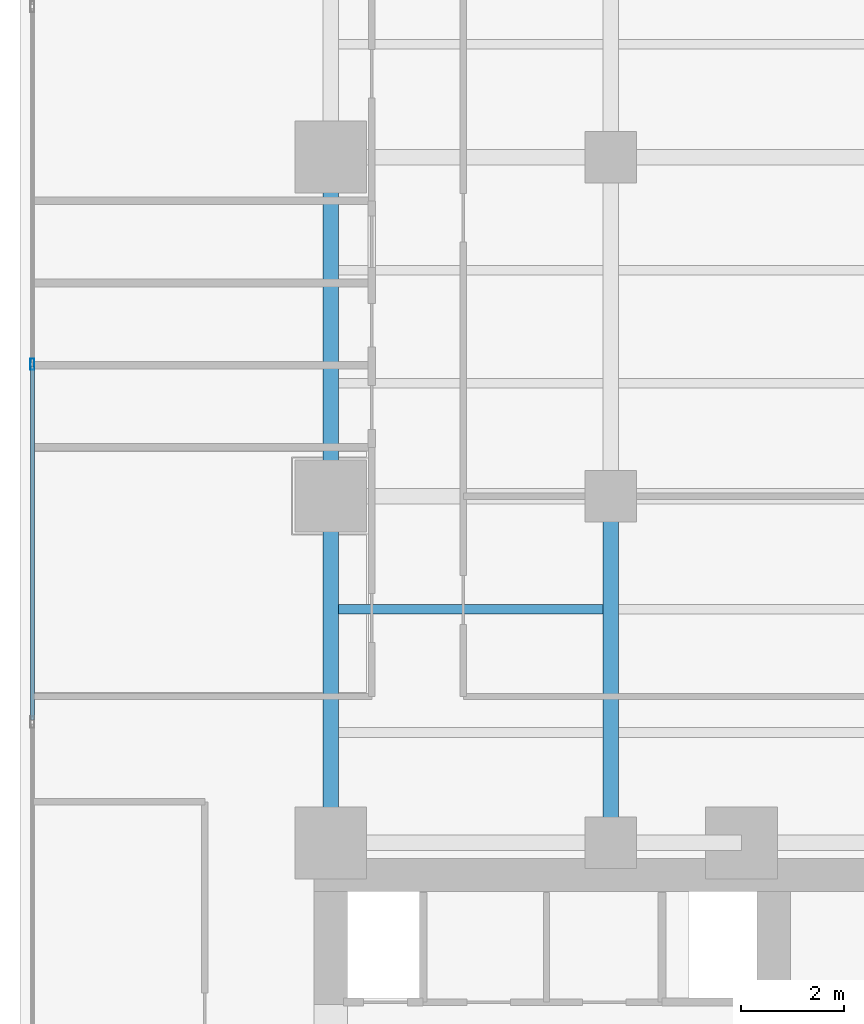
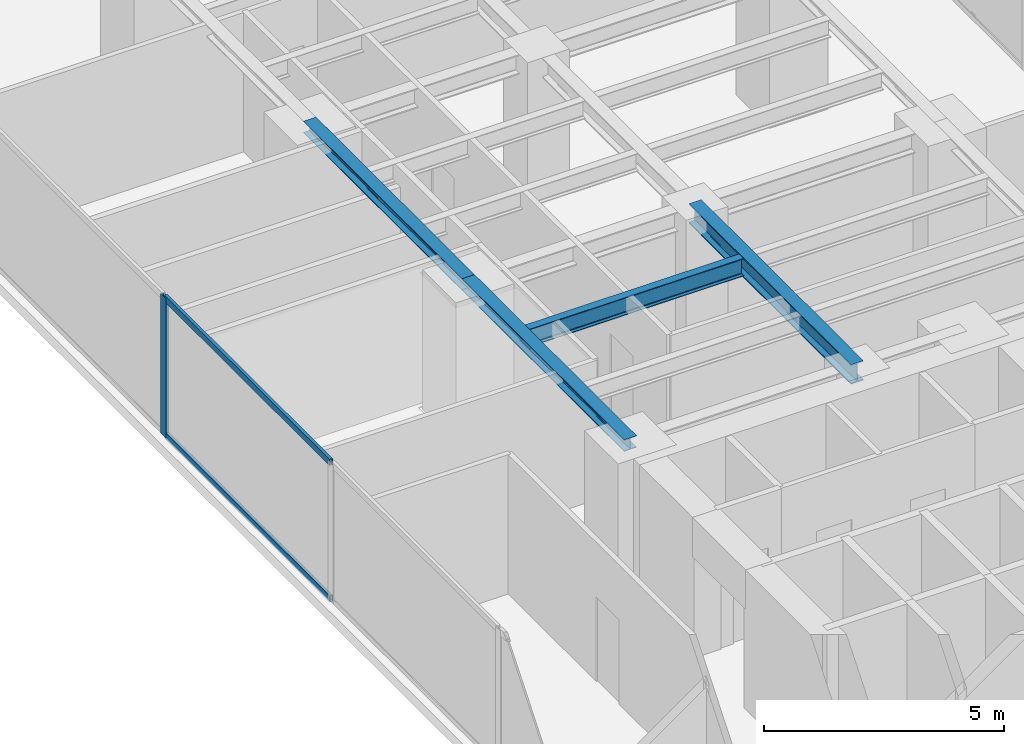
# One storey, part 7 of 28: 4 beams, 3 members, 1 element without a shape of its own.
"""IFC4 building model written with IfcOpenShell, lengths in metres."""

from ifc_helpers import new_model, si_unit, direction, frame, origin, origin_with_axes, origin_2d, place, context, subcontext, project, spatial, hollow_rectangle, i_section, extrude, source, transform, mapped, material, layer, layer_set, material_profile, profile_set, type_object, element, aggregate, save


model = new_model("IFC4")

# Units and contexts
model_context = context("Model", 3, precision=1e-05, world=origin(), true_north=direction((0.0, 1.0)))
body_context = subcontext(model_context, "Body", "Model", "MODEL_VIEW")
ifc_project = project(units=[si_unit("LENGTHUNIT", "METRE"), si_unit("AREAUNIT", "SQUARE_METRE"), si_unit("VOLUMEUNIT", "CUBIC_METRE"), si_unit("PLANEANGLEUNIT", "RADIAN"), si_unit("MASSUNIT", "GRAM", prefix="KILO")], contexts=[model_context])

# Site, building, storey
site_placement = place(None, origin())
site = spatial("IfcSite", under=ifc_project, at=site_placement, CompositionType="ELEMENT")
building_placement = place(site_placement, origin())
building = spatial("IfcBuilding", under=site, at=building_placement, Name="Kolvaren Waterfront Exchange", CompositionType="ELEMENT")
storey_placement = place(building_placement, frame((0.0, 0.0, 103.10009765625)))
storey = spatial("IfcBuildingStorey", under=building, at=storey_placement, Name="L26", CompositionType="ELEMENT", Elevation=103.10009765625)

# Beams
ifc_material_1 = material(Name="Steel S355", Category="steel")
ifc_material_profile_1 = material_profile(ifc_material_1, i_section(OverallWidth=0.300048828125, OverallDepth=0.300048828125, WebThickness=0.010986328125, FlangeThickness=0.01904296875, FilletRadius=0.027099609375, at=origin_2d()), Name="HEB300")
ifc_profile_set_1 = profile_set([ifc_material_profile_1], Name="Steel S355")
beam_type_1 = type_object("IfcBeamType", Name="STR-BM-HEB300", PredefinedType="SPANDREL", material=ifc_profile_set_1)
beam_1_placement = place(storey_placement, frame((7.449951171875, 24.449951171875, 3.389892578125), z_axis=(0.0, 1.0, 0.0), x_axis=(-1.0, 0.0, 0.0)))
element("IfcBeam", 1, at=beam_1_placement, inside=storey, type_object=beam_type_1, Name="L26 north-arm edge beam 1", PredefinedType="SPANDREL", context=body_context, shape_type="SweptSolid", body=[
    extrude(i_section(OverallWidth=0.300048828125, OverallDepth=0.300048828125, WebThickness=0.010986328125, FlangeThickness=0.01904296875, FilletRadius=0.027099609375, at=origin_2d()), origin(), (0.0, 0.0, 1.0), 6.75),
])
beam_2_placement = place(storey_placement, frame((7.449951171875, 31.199951171875, 3.389892578125), z_axis=(0.0, 1.0, 0.0), x_axis=(-1.0, 0.0, 0.0)))
element("IfcBeam", 2, at=beam_2_placement, inside=storey, type_object=beam_type_1, Name="L26 north-arm edge beam 2", PredefinedType="SPANDREL", context=body_context, shape_type="SweptSolid", body=[
    extrude(i_section(OverallWidth=0.300048828125, OverallDepth=0.300048828125, WebThickness=0.010986328125, FlangeThickness=0.01904296875, FilletRadius=0.027099609375, at=origin_2d()), origin(), (0.0, 0.0, 1.0), 6.60009765625),
])
ifc_material_profile_2 = material_profile(ifc_material_1, i_section(OverallWidth=0.300048828125, OverallDepth=0.5, WebThickness=0.014404296875, FlangeThickness=0.028076171875, FilletRadius=0.027099609375, at=origin_2d()), Name="HEB500")
ifc_profile_set_2 = profile_set([ifc_material_profile_2], Name="Steel S355")
beam_type_2 = type_object("IfcBeamType", Name="STR-BM-HEB500", PredefinedType="BEAM", material=ifc_profile_set_2)
beam_3_placement = place(storey_placement, frame((12.89990234375, 24.449951171875, 3.289794921875), z_axis=(0.0, 1.0, 0.0), x_axis=(-1.0, 0.0, 0.0)))
element("IfcBeam", 3, at=beam_3_placement, inside=storey, type_object=beam_type_2, Name="L26 north-arm edge beam 1", PredefinedType="BEAM", context=body_context, shape_type="SweptSolid", body=[
    extrude(i_section(OverallWidth=0.300048828125, OverallDepth=0.5, WebThickness=0.014404296875, FlangeThickness=0.028076171875, FilletRadius=0.027099609375, at=origin_2d()), origin(), (0.0, 0.0, 1.0), 6.75),
])
ifc_material_profile_3 = material_profile(ifc_material_1, i_section(OverallWidth=0.18994140625, OverallDepth=0.449951171875, WebThickness=0.009521484375, FlangeThickness=0.0146484375, FilletRadius=0.02099609375, at=origin_2d()), Name="IPE450")
ifc_profile_set_3 = profile_set([ifc_material_profile_3], Name="Steel S355")
beam_type_3 = type_object("IfcBeamType", Name="STR-BM-IPE450", PredefinedType="JOIST", material=ifc_profile_set_3)
beam_4_placement = place(storey_placement, frame((7.60205078125, 29.0, 3.31494140625), z_axis=(1.0, 0.0, 0.0), x_axis=(0.0, 1.0, 0.0)))
element("IfcBeam", 4, at=beam_4_placement, inside=storey, type_object=beam_type_3, Name="L26 north-arm composite joist 2A", PredefinedType="JOIST", context=body_context, shape_type="SweptSolid", body=[
    extrude(i_section(OverallWidth=0.18994140625, OverallDepth=0.449951171875, WebThickness=0.009521484375, FlangeThickness=0.0146484375, FilletRadius=0.02099609375, at=origin_2d()), origin(), (0.0, 0.0, 1.0), 5.14599609375),
])

# Curtain wall, members
ifc_material_2 = material(Name="Anodised aluminium 6063-T6", Category="aluminium")
ifc_layer = layer(ifc_material_2, 0.219970703125, Name="Anodised aluminium 6063-T6")
ifc_layer_set = layer_set([ifc_layer], Name="Anodised aluminium 6063-T6")
curtain_wall_type = type_object("IfcCurtainWallType", Name="ARC-CW-SYS2", PredefinedType="USERDEFINED", material=ifc_layer_set)
curtain_wall_placement = place(storey_placement, origin())
curtain_wall = element("IfcCurtainWall", 5, at=curtain_wall_placement, inside=storey, type_object=curtain_wall_type, Name="L26 stick curtain wall CW2 (CW-L26-W)", ObjectType="STICK CURTAIN WALL", PredefinedType="USERDEFINED")
ifc_material_profile_4 = material_profile(ifc_material_2, hollow_rectangle(XDim=0.080078125, YDim=0.219970703125, WallThickness=0.0048828125, at=origin_2d()), Name="ALU-MUL-220x80x5")
ifc_profile_set_4 = profile_set([ifc_material_profile_4], Name="Anodised aluminium 6063-T6")
member_type_1 = type_object("IfcMemberType", Name="ARC-CWM-220", PredefinedType="MULLION", material=ifc_profile_set_4)
shared_shape_1 = source(origin_with_axes(), body_context, "Body", "SweptSolid", [
    extrude(hollow_rectangle(XDim=0.080078125, YDim=0.219970703125, WallThickness=0.0048828125, at=origin_2d()), origin(), (0.0, 0.0, 1.0), 3.539794921875),
])
member_1_placement = place(storey_placement, frame((1.639892578125, 33.7666015625, 0.0), z_axis=(0.0, 0.0, 1.0), x_axis=(-1.0, 0.0, 0.0)))
member_1 = element("IfcMember", 6, at=member_1_placement, type_object=member_type_1, Name="CW2 mullion 5", PredefinedType="MULLION", context=body_context, shape_type="MappedRepresentation", body=[
    mapped(shared_shape_1, transform((0.0, 0.0, 0.0), x_axis=(1.0, 0.0, 0.0), y_axis=(0.0, 1.0, 0.0), z_axis=(0.0, 0.0, 1.0), scale=1.0)),
])
ifc_material_profile_5 = material_profile(ifc_material_2, hollow_rectangle(XDim=0.074951171875, YDim=0.159912109375, WallThickness=0.00439453125, at=origin_2d()), Name="ALU-TRN-160x75x4.5")
ifc_profile_set_5 = profile_set([ifc_material_profile_5], Name="Anodised aluminium 6063-T6")
member_type_2 = type_object("IfcMemberType", Name="ARC-CWT-160", PredefinedType="USERDEFINED", material=ifc_profile_set_5)
shared_shape_2 = source(origin_with_axes(), body_context, "Body", "SweptSolid", [
    extrude(hollow_rectangle(XDim=0.074951171875, YDim=0.159912109375, WallThickness=0.00439453125, at=origin_2d()), origin(), (0.0, 0.0, 1.0), 6.886474609375),
])
member_2_placement = place(storey_placement, frame((1.639892578125, 26.840087890625, 0.037353515625), z_axis=(0.0, 1.0, 0.0), x_axis=(-1.0, 0.0, 0.0)))
member_2 = element("IfcMember", 7, at=member_2_placement, type_object=member_type_2, Name="CW2 transom 4.1", ObjectType="TRANSOM", PredefinedType="USERDEFINED", context=body_context, shape_type="MappedRepresentation", body=[
    mapped(shared_shape_2, transform((0.0, 0.0, 0.0), x_axis=(1.0, 0.0, 0.0), y_axis=(0.0, 1.0, 0.0), z_axis=(0.0, 0.0, 1.0), scale=1.0)),
])
member_3_placement = place(storey_placement, frame((1.639892578125, 26.840087890625, 3.50244140625), z_axis=(0.0, 1.0, 0.0), x_axis=(-1.0, 0.0, 0.0)))
member_3 = element("IfcMember", 8, at=member_3_placement, type_object=member_type_2, Name="CW2 transom 4.2", ObjectType="TRANSOM", PredefinedType="USERDEFINED", context=body_context, shape_type="MappedRepresentation", body=[
    mapped(shared_shape_2, transform((0.0, 0.0, 0.0), x_axis=(1.0, 0.0, 0.0), y_axis=(0.0, 1.0, 0.0), z_axis=(0.0, 0.0, 1.0), scale=1.0)),
])
aggregate(curtain_wall, [member_1, member_2, member_3])

save(model, "model.ifc")
